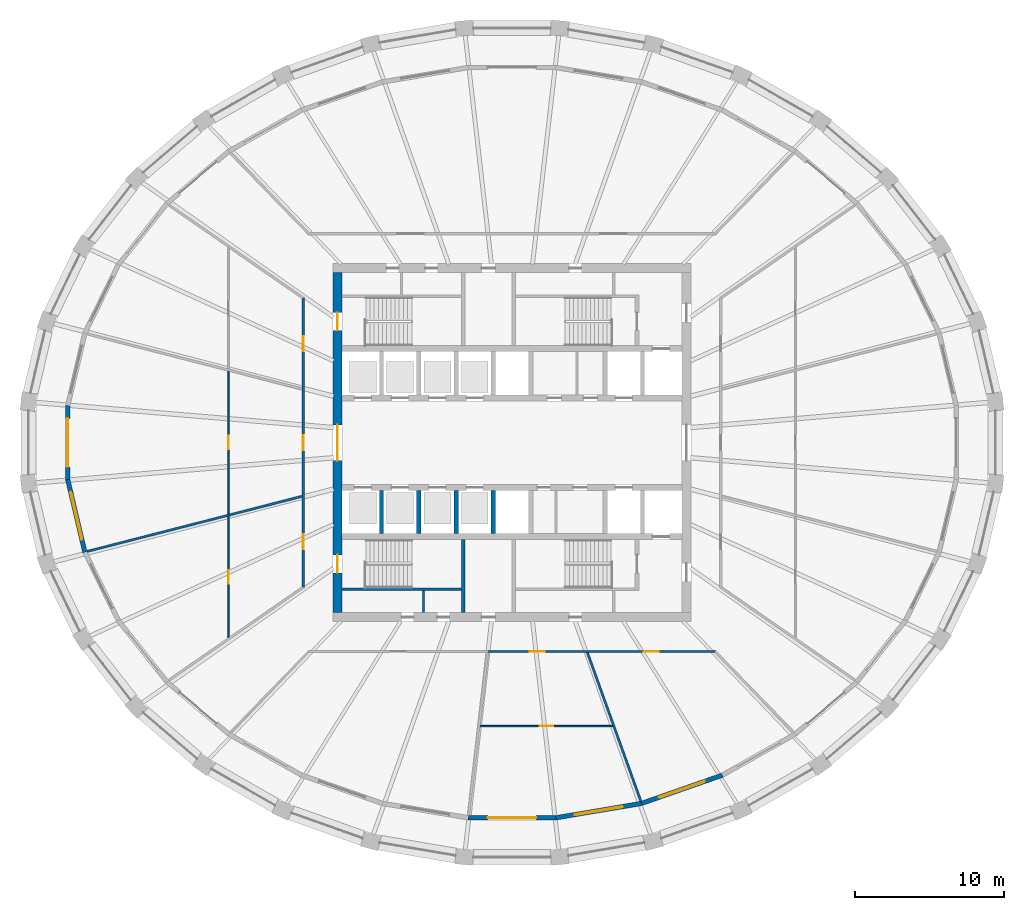
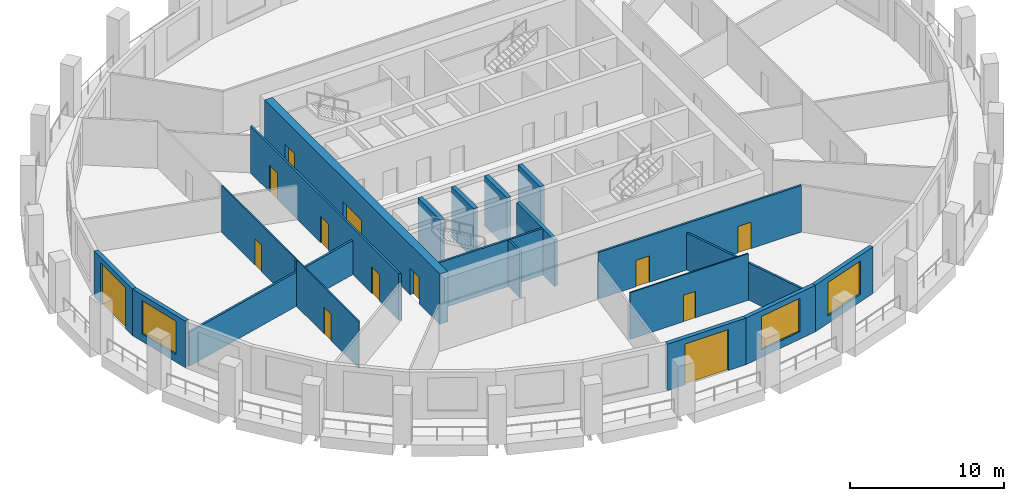
# One storey, part 3 of 10: 20 walls, 13 doors, 3 windows, 16 openings.
"""IFC4 building model written with IfcOpenShell, lengths in metres."""

from ifc_helpers import new_model, si_unit, direction, frame, frame_2d, origin, place, context, subcontext, project, spatial, polyline, rectangle, outline, extrude, material, layer, layer_set, type_object, element, fill, save


model = new_model("IFC4")

# Units and contexts
model_context = context("Model", 3, precision=1e-05, world=origin(), true_north=direction((0.0, 1.0)))
body_context = subcontext(model_context, "Body", "Model", "MODEL_VIEW")
ifc_project = project(units=[si_unit("LENGTHUNIT", "METRE"), si_unit("AREAUNIT", "SQUARE_METRE"), si_unit("VOLUMEUNIT", "CUBIC_METRE"), si_unit("PLANEANGLEUNIT", "RADIAN"), si_unit("MASSUNIT", "GRAM", prefix="KILO")], contexts=[model_context])

# Site, building, storey
site_placement = place(None, origin())
site = spatial("IfcSite", under=ifc_project, at=site_placement, CompositionType="ELEMENT")
building_placement = place(site_placement, origin())
building = spatial("IfcBuilding", under=site, at=building_placement, Name="Halqa Exchange Tower", CompositionType="ELEMENT")
storey_placement = place(building_placement, frame((0.0, 0.0, 190.89990234375)))
storey = spatial("IfcBuildingStorey", under=building, at=storey_placement, Name="L43", CompositionType="ELEMENT", Elevation=190.89990234375)

# Wall
ifc_material_1 = material(Name="Fire-rated gypsum board")
ifc_layer_1 = layer(ifc_material_1, 0.14990234375)
ifc_layer_set_1 = layer_set([ifc_layer_1], Name="Fire-rated gypsum board")
wall_type_1 = type_object("IfcWallType", Name="Fire partition EI 60 150", PredefinedType="PARTITIONING", material=ifc_layer_set_1)
wall_1_placement = place(storey_placement, frame((-28.494384765625, -7.294189453125, 0.0), z_axis=(0.0, 0.0, 1.0), x_axis=(0.96870063855, 0.248231893342, 0.0)))
element("IfcWall", 1, at=wall_1_placement, inside=storey, type_object=wall_type_1, Name="L43-PWL-001", PredefinedType="PARTITIONING", context=body_context, shape_type="SweptSolid", body=[
    extrude(outline(polyline([(0.013916015625, -0.074951171875), (1.957275390625, -0.074951171875), (3.900634765625, -0.074951171875), (5.84375, -0.074951171875), (7.787109375, -0.074951171875), (9.730224609375, -0.074951171875), (9.730712890625, -0.073486328125), (9.736083984375, -0.074951171875), (11.446044921875, -0.074951171875), (13.156005859375, -0.074951171875), (14.865966796875, -0.074951171875), (14.904296875, 0.07421875), (14.904296875, 0.074951171875), (13.226806640625, 0.074951171875), (11.54931640625, 0.074951171875), (9.8720703125, 0.074951171875), (9.87158203125, 0.073486328125), (9.8662109375, 0.074951171875), (7.892822265625, 0.074951171875), (5.919677734375, 0.074951171875), (3.946533203125, 0.074951171875), (1.97314453125, 0.074951171875), (0.0, 0.074951171875), (0.0, -0.0078125), (0.013916015625, -0.074951171875)])), origin(), (0.0, 0.0, 1.0), 2.710205078125),
])

# Wall, openings, doors
wall_2_placement = place(storey_placement, frame((-14.0, -9.729248046875, 0.0), z_axis=(0.0, 0.0, 1.0), x_axis=(0.0, 1.0, 0.0)))
wall_2 = element("IfcWall", 2, at=wall_2_placement, inside=storey, type_object=wall_type_1, Name="L43-PWL-011", PredefinedType="PARTITIONING", context=body_context, shape_type="SweptSolid", body=[
    extrude(outline(polyline([(19.45849609375, -0.074951171875), (19.45849609375, -0.074951171875), (19.3798828125, 0.074951171875), (17.44970703125, 0.074951171875), (15.519775390625, 0.074951171875), (13.589599609375, 0.074951171875), (11.659423828125, 0.074951171875), (9.729248046875, 0.074951171875), (7.799072265625, 0.074951171875), (5.868896484375, 0.074951171875), (3.938720703125, 0.074951171875), (2.008544921875, 0.074951171875), (0.07861328125, 0.074951171875), (0.0, -0.074951171875), (0.0, -0.074951171875), (1.94580078125, -0.074951171875), (3.8916015625, -0.074951171875), (5.837646484375, -0.074951171875), (7.783447265625, -0.074951171875), (9.729248046875, -0.074951171875), (11.675048828125, -0.074951171875), (13.620849609375, -0.074951171875), (15.56689453125, -0.074951171875), (17.5126953125, -0.074951171875), (19.45849609375, -0.074951171875)])), origin(), (0.0, 0.0, 1.0), 3.7001953125),
])
opening_1_placement = place(wall_2_placement, frame((15.8642578125, 0.0, 0.0)))
opening_1 = element("IfcOpeningElement", 3, at=opening_1_placement, cuts=wall_2, Name="Opening 13-03", PredefinedType="OPENING", context=body_context, shape_type="SweptSolid", body=[
    extrude(rectangle(XDim=1.0, YDim=2.10009765625, at=frame_2d((0.5, 1.050048828125))), frame((0.0, 0.0869140625, 0.0), z_axis=(0.0, -1.0, 0.0), x_axis=(1.0, 0.0, 0.0)), (0.0, 0.0, 1.0), 0.173828125),
])
opening_2_placement = place(wall_2_placement, frame((9.229248046875, 0.0, 0.0)))
opening_2 = element("IfcOpeningElement", 4, at=opening_2_placement, cuts=wall_2, Name="Opening 13-04", PredefinedType="OPENING", context=body_context, shape_type="SweptSolid", body=[
    extrude(rectangle(XDim=1.0, YDim=2.10009765625, at=frame_2d((0.5, 1.050048828125))), frame((0.0, 0.0869140625, 0.0), z_axis=(0.0, -1.0, 0.0), x_axis=(1.0, 0.0, 0.0)), (0.0, 0.0, 1.0), 0.173828125),
])
opening_3_placement = place(wall_2_placement, frame((2.59423828125, 0.0, 0.0)))
opening_3 = element("IfcOpeningElement", 5, at=opening_3_placement, cuts=wall_2, Name="Opening 13-05", PredefinedType="OPENING", context=body_context, shape_type="SweptSolid", body=[
    extrude(rectangle(XDim=1.0, YDim=2.10009765625, at=frame_2d((0.5, 1.050048828125))), frame((0.0, 0.0869140625, 0.0), z_axis=(0.0, -1.0, 0.0), x_axis=(1.0, 0.0, 0.0)), (0.0, 0.0, 1.0), 0.173828125),
])
ifc_material_2 = material(Name="Steel fire door leaf", Category="steel")
door_type_1 = type_object("IfcDoorType", Name="Fire door FD30S 1000 x 2100", OperationType="SINGLE_SWING_LEFT", PredefinedType="DOOR", material=ifc_material_2)
door_1_placement = place(opening_1_placement, origin())
door_1 = element("IfcDoor", 6, at=door_1_placement, inside=storey, type_object=door_type_1, Name="L43-IDR-003", OperationType="SINGLE_SWING_RIGHT", OverallHeight=2.10009765625, OverallWidth=1.0, PredefinedType="DOOR", context=body_context, shape_type="SweptSolid", body=[
    extrude(rectangle(XDim=1.0, YDim=2.10009765625, at=frame_2d((0.5, 1.050048828125))), frame((0.0, 0.02490234375, 0.0), z_axis=(0.0, -1.0, 0.0), x_axis=(1.0, 0.0, 0.0)), (0.0, 0.0, 1.0), 0.050048828125),
])
fill(opening_1, door_1)
door_2_placement = place(opening_2_placement, origin())
door_2 = element("IfcDoor", 7, at=door_2_placement, inside=storey, type_object=door_type_1, Name="L43-IDR-004", OperationType="SINGLE_SWING_LEFT", OverallHeight=2.10009765625, OverallWidth=1.0, PredefinedType="DOOR", context=body_context, shape_type="SweptSolid", body=[
    extrude(rectangle(XDim=1.0, YDim=2.10009765625, at=frame_2d((0.5, 1.050048828125))), frame((0.0, 0.02490234375, 0.0), z_axis=(0.0, -1.0, 0.0), x_axis=(1.0, 0.0, 0.0)), (0.0, 0.0, 1.0), 0.050048828125),
])
fill(opening_2, door_2)
door_3_placement = place(opening_3_placement, origin())
door_3 = element("IfcDoor", 8, at=door_3_placement, inside=storey, type_object=door_type_1, Name="L43-IDR-005", OperationType="SINGLE_SWING_LEFT", OverallHeight=2.10009765625, OverallWidth=1.0, PredefinedType="DOOR", context=body_context, shape_type="SweptSolid", body=[
    extrude(rectangle(XDim=1.0, YDim=2.10009765625, at=frame_2d((0.5, 1.050048828125))), frame((0.0, 0.02490234375, 0.0), z_axis=(0.0, -1.0, 0.0), x_axis=(1.0, 0.0, 0.0)), (0.0, 0.0, 1.0), 0.050048828125),
])
fill(opening_3, door_3)

wall_3_placement = place(storey_placement, frame((-1.6298828125, -14.0, 0.0), z_axis=(0.0, 0.0, 1.0), x_axis=(1.0, 0.0, 0.0)))
wall_3 = element("IfcWall", 9, at=wall_3_placement, inside=storey, type_object=wall_type_1, Name="L43-PWL-016", PredefinedType="PARTITIONING", context=body_context, shape_type="SweptSolid", body=[
    extrude(outline(polyline([(0.0, -0.074951171875), (1.90234375, -0.074951171875), (3.804443359375, -0.074951171875), (5.706787109375, -0.074951171875), (7.609130859375, -0.074951171875), (9.511474609375, -0.074951171875), (11.41357421875, -0.074951171875), (13.31591796875, -0.074951171875), (15.21826171875, -0.074951171875), (15.281494140625, 0.07470703125), (15.281494140625, 0.074951171875), (13.371337890625, 0.074951171875), (11.461181640625, 0.074951171875), (9.551025390625, 0.074951171875), (7.640625, 0.074951171875), (5.73046875, 0.074951171875), (3.8203125, 0.074951171875), (1.91015625, 0.074951171875), (0.0, 0.074951171875), (0.0, -0.074951171875)])), origin(), (0.0, 0.0, 1.0), 3.7001953125),
])
opening_4_placement = place(wall_3_placement, frame((2.830078125, 0.0, 0.0)))
opening_4 = element("IfcOpeningElement", 10, at=opening_4_placement, cuts=wall_3, Name="Opening 13-07", PredefinedType="OPENING", context=body_context, shape_type="SweptSolid", body=[
    extrude(rectangle(XDim=1.0, YDim=2.10009765625, at=frame_2d((0.5, 1.050048828125))), frame((0.0, 0.0869140625, 0.0), z_axis=(0.0, -1.0, 0.0), x_axis=(1.0, 0.0, 0.0)), (0.0, 0.0, 1.0), 0.173828125),
])
opening_5_placement = place(wall_3_placement, frame((10.455078125, 0.0, 0.0)))
opening_5 = element("IfcOpeningElement", 11, at=opening_5_placement, cuts=wall_3, Name="Opening 13-08", PredefinedType="OPENING", context=body_context, shape_type="SweptSolid", body=[
    extrude(rectangle(XDim=1.0, YDim=2.10009765625, at=frame_2d((0.5, 1.050048828125))), frame((0.0, 0.0869140625, 0.0), z_axis=(0.0, -1.0, 0.0), x_axis=(1.0, 0.0, 0.0)), (0.0, 0.0, 1.0), 0.173828125),
])
door_4_placement = place(opening_4_placement, frame((1.0, 0.0, 0.0), z_axis=(0.0, 0.0, 1.0), x_axis=(-1.0, 0.0, 0.0)))
door_4 = element("IfcDoor", 12, at=door_4_placement, inside=storey, type_object=door_type_1, Name="L43-IDR-007", OperationType="SINGLE_SWING_RIGHT", OverallHeight=2.10009765625, OverallWidth=1.0, PredefinedType="DOOR", context=body_context, shape_type="SweptSolid", body=[
    extrude(rectangle(XDim=1.0, YDim=2.10009765625, at=frame_2d((0.5, 1.050048828125))), frame((0.0, 0.02490234375, 0.0), z_axis=(0.0, -1.0, 0.0), x_axis=(1.0, 0.0, 0.0)), (0.0, 0.0, 1.0), 0.050048828125),
])
fill(opening_4, door_4)
door_5_placement = place(opening_5_placement, frame((1.0, 0.0, 0.0), z_axis=(0.0, 0.0, 1.0), x_axis=(-1.0, 0.0, 0.0)))
door_5 = element("IfcDoor", 13, at=door_5_placement, inside=storey, type_object=door_type_1, Name="L43-IDR-008", OperationType="SINGLE_SWING_LEFT", OverallHeight=2.10009765625, OverallWidth=1.0, PredefinedType="DOOR", context=body_context, shape_type="SweptSolid", body=[
    extrude(rectangle(XDim=1.0, YDim=2.10009765625, at=frame_2d((0.5, 1.050048828125))), frame((0.0, 0.02490234375, 0.0), z_axis=(0.0, -1.0, 0.0), x_axis=(1.0, 0.0, 0.0)), (0.0, 0.0, 1.0), 0.050048828125),
])
fill(opening_5, door_5)

# Wall
wall_4_placement = place(storey_placement, frame((5.0478515625, -14.0498046875, 0.0), z_axis=(0.0, 0.0, 1.0), x_axis=(0.338318960249, -0.941031498482, 0.0)))
element("IfcWall", 14, at=wall_4_placement, inside=storey, type_object=wall_type_1, Name="L43-PWL-017", PredefinedType="PARTITIONING", context=body_context, shape_type="SweptSolid", body=[
    extrude(outline(polyline([(0.0, -0.074951171875), (1.726806640625, -0.074951171875), (3.45361328125, -0.074951171875), (5.180419921875, -0.074951171875), (5.18115234375, -0.072509765625), (5.18798828125, -0.074951171875), (6.994140625, -0.074951171875), (8.80029296875, -0.074951171875), (10.6064453125, -0.074951171875), (10.62060546875, 0.003662109375), (10.620849609375, 0.032470703125), (10.620849609375, 0.074951171875), (8.859619140625, 0.074951171875), (7.098388671875, 0.074951171875), (5.33740234375, 0.074951171875), (3.576171875, 0.074951171875), (1.81494140625, 0.074951171875), (0.0537109375, 0.074951171875), (0.0, -0.074462890625), (0.0, -0.074951171875)])), origin(), (0.0, 0.0, 1.0), 2.947021484375),
])

# Wall, opening, door
ifc_material_3 = material(Name="Gypsum board")
ifc_layer_2 = layer(ifc_material_3, 0.10009765625)
ifc_layer_set_2 = layer_set([ifc_layer_2], Name="Gypsum board")
wall_type_2 = type_object("IfcWallType", Name="Partition 100 gypsum", PredefinedType="PARTITIONING", material=ifc_layer_set_2)
wall_5_placement = place(storey_placement, frame((-19.0, -13.095458984375, 0.0), z_axis=(0.0, 0.0, 1.0), x_axis=(0.0, 1.0, 0.0)))
wall_5 = element("IfcWall", 15, at=wall_5_placement, inside=storey, type_object=wall_type_2, Name="L43-PWL-005", PredefinedType="PARTITIONING", context=body_context, shape_type="SweptSolid", body=[
    extrude(outline(polyline([(8.16943359375, -0.050048828125), (8.16943359375, -0.04931640625), (8.14404296875, 0.050048828125), (6.51513671875, 0.050048828125), (4.886474609375, 0.050048828125), (3.257568359375, 0.050048828125), (1.62890625, 0.050048828125), (0.0, 0.050048828125), (0.0, 0.049072265625), (0.068603515625, -0.050048828125), (1.688720703125, -0.050048828125), (3.30908203125, -0.050048828125), (4.92919921875, -0.050048828125), (6.54931640625, -0.050048828125), (8.16943359375, -0.050048828125)])), origin(), (0.0, 0.0, 1.0), 3.7001953125),
])
opening_6_placement = place(wall_5_placement, frame((3.640380859375, 0.0, 0.0)))
opening_6 = element("IfcOpeningElement", 16, at=opening_6_placement, cuts=wall_5, Name="Opening 13-14", PredefinedType="OPENING", context=body_context, shape_type="SweptSolid", body=[
    extrude(rectangle(XDim=0.89990234375, YDim=2.10009765625, at=frame_2d((0.449951171875, 1.050048828125))), frame((0.0, 0.06201171875, 0.0), z_axis=(0.0, -1.0, 0.0), x_axis=(1.0, 0.0, 0.0)), (0.0, 0.0, 1.0), 0.1240234375),
])
ifc_material_4 = material(Name="Timber door leaf", Category="wood")
door_type_2 = type_object("IfcDoorType", Name="Door 900 x 2100", OperationType="SINGLE_SWING_LEFT", PredefinedType="DOOR", material=ifc_material_4)
door_6_placement = place(opening_6_placement, frame((0.89990234375, 0.0, 0.0), z_axis=(0.0, 0.0, 1.0), x_axis=(-1.0, 0.0, 0.0)))
door_6 = element("IfcDoor", 17, at=door_6_placement, inside=storey, type_object=door_type_2, Name="L43-IDR-014", OperationType="SINGLE_SWING_LEFT", OverallHeight=2.10009765625, OverallWidth=0.89990234375, PredefinedType="DOOR", context=body_context, shape_type="SweptSolid", body=[
    extrude(rectangle(XDim=0.89990234375, YDim=2.10009765625, at=frame_2d((0.449951171875, 1.050048828125))), frame((0.0, 0.02490234375, 0.0), z_axis=(0.0, -1.0, 0.0), x_axis=(1.0, 0.0, 0.0)), (0.0, 0.0, 1.0), 0.050048828125),
])
fill(opening_6, door_6)

wall_6_placement = place(storey_placement, frame((-19.0, -4.79638671875, 0.0), z_axis=(0.0, 0.0, 1.0), x_axis=(0.0, 1.0, 0.0)))
wall_6 = element("IfcWall", 18, at=wall_6_placement, inside=storey, type_object=wall_type_2, Name="L43-PWL-006", PredefinedType="PARTITIONING", context=body_context, shape_type="SweptSolid", body=[
    extrude(outline(polyline([(0.025390625, -0.050048828125), (1.933837890625, -0.050048828125), (3.84228515625, -0.050048828125), (5.75048828125, -0.050048828125), (7.658935546875, -0.050048828125), (9.5673828125, -0.050048828125), (9.5927734375, 0.049072265625), (9.5927734375, 0.050048828125), (7.67431640625, 0.050048828125), (5.755615234375, 0.050048828125), (3.837158203125, 0.050048828125), (1.91845703125, 0.050048828125), (0.0, 0.050048828125), (0.0, 0.049072265625), (0.025390625, -0.050048828125)])), origin(), (0.0, 0.0, 1.0), 3.7001953125),
])
opening_7_placement = place(wall_6_placement, frame((4.346435546875, 0.0, 0.0)))
opening_7 = element("IfcOpeningElement", 19, at=opening_7_placement, cuts=wall_6, Name="Opening 13-13", PredefinedType="OPENING", context=body_context, shape_type="SweptSolid", body=[
    extrude(rectangle(XDim=0.89990234375, YDim=2.10009765625, at=frame_2d((0.449951171875, 1.050048828125))), frame((0.0, 0.06201171875, 0.0), z_axis=(0.0, -1.0, 0.0), x_axis=(1.0, 0.0, 0.0)), (0.0, 0.0, 1.0), 0.1240234375),
])
door_7_placement = place(opening_7_placement, frame((0.89990234375, 0.0, 0.0), z_axis=(0.0, 0.0, 1.0), x_axis=(-1.0, 0.0, 0.0)))
door_7 = element("IfcDoor", 20, at=door_7_placement, inside=storey, type_object=door_type_2, Name="L43-IDR-013", OperationType="SINGLE_SWING_RIGHT", OverallHeight=2.10009765625, OverallWidth=0.89990234375, PredefinedType="DOOR", context=body_context, shape_type="SweptSolid", body=[
    extrude(rectangle(XDim=0.89990234375, YDim=2.10009765625, at=frame_2d((0.449951171875, 1.050048828125))), frame((0.0, 0.02490234375, 0.0), z_axis=(0.0, -1.0, 0.0), x_axis=(1.0, 0.0, 0.0)), (0.0, 0.0, 1.0), 0.050048828125),
])
fill(opening_7, door_7)

wall_7_placement = place(storey_placement, frame((6.765380859375, -19.0, 0.0), z_axis=(0.0, 0.0, 1.0), x_axis=(-1.0, 0.0, 0.0)))
wall_7 = element("IfcWall", 21, at=wall_7_placement, inside=storey, type_object=wall_type_2, Name="L43-PWL-018", PredefinedType="PARTITIONING", context=body_context, shape_type="SweptSolid", body=[
    extrude(outline(polyline([(0.035400390625, -0.050048828125), (1.80712890625, -0.050048828125), (3.578857421875, -0.050048828125), (5.3505859375, -0.050048828125), (7.122314453125, -0.050048828125), (8.89404296875, -0.050048828125), (8.9052734375, 0.046142578125), (8.9052734375, 0.050048828125), (7.124267578125, 0.050048828125), (5.34326171875, 0.050048828125), (3.56201171875, 0.050048828125), (1.781005859375, 0.050048828125), (0.0, 0.050048828125), (0.0, 0.048828125), (0.035400390625, -0.050048828125)])), origin(), (0.0, 0.0, 1.0), 3.7001953125),
])
opening_8_placement = place(wall_7_placement, frame((4.005615234375, 0.0, 0.0)))
opening_8 = element("IfcOpeningElement", 22, at=opening_8_placement, cuts=wall_7, Name="Opening 13-15", PredefinedType="OPENING", context=body_context, shape_type="SweptSolid", body=[
    extrude(rectangle(XDim=0.89990234375, YDim=2.10009765625, at=frame_2d((0.449951171875, 1.050048828125))), frame((0.0, 0.06201171875, 0.0), z_axis=(0.0, -1.0, 0.0), x_axis=(1.0, 0.0, 0.0)), (0.0, 0.0, 1.0), 0.1240234375),
])
door_8_placement = place(opening_8_placement, frame((0.89990234375, 0.0, 0.0), z_axis=(0.0, 0.0, 1.0), x_axis=(-1.0, 0.0, 0.0)))
door_8 = element("IfcDoor", 23, at=door_8_placement, inside=storey, type_object=door_type_2, Name="L43-IDR-015", OperationType="SINGLE_SWING_LEFT", OverallHeight=2.10009765625, OverallWidth=0.89990234375, PredefinedType="DOOR", context=body_context, shape_type="SweptSolid", body=[
    extrude(rectangle(XDim=0.89990234375, YDim=2.10009765625, at=frame_2d((0.449951171875, 1.050048828125))), frame((0.0, 0.02490234375, 0.0), z_axis=(0.0, -1.0, 0.0), x_axis=(1.0, 0.0, 0.0)), (0.0, 0.0, 1.0), 0.050048828125),
])
fill(opening_8, door_8)

# Walls
ifc_layer_3 = layer(ifc_material_3, 0.14990234375)
ifc_layer_set_3 = layer_set([ifc_layer_3], Name="Gypsum board")
wall_type_3 = type_object("IfcWallType", Name="Penthouse riser wall 150 gypsum", PredefinedType="PARTITIONING", material=ifc_layer_set_3)
wall_8_placement = place(storey_placement, frame((-5.925048828125, -11.39990234375, 0.0), z_axis=(0.0, 0.0, 1.0), x_axis=(0.0, 1.0, 0.0)))
element("IfcWall", 24, at=wall_8_placement, inside=storey, type_object=wall_type_3, Name="Partition W5.925 S", PredefinedType="PARTITIONING", context=body_context, shape_type="SweptSolid", body=[
    extrude(rectangle(XDim=1.5, YDim=0.14990234375, at=frame_2d((0.75, 0.0))), origin(), (0.0, 0.0, 1.0), 3.7001953125),
])
ifc_material_5 = material(Name="Concrete C60/75", Category="concrete")
ifc_layer_4 = layer(ifc_material_5, 0.300048828125)
ifc_layer_set_4 = layer_set([ifc_layer_4], Name="Concrete C60/75")
wall_type_4 = type_object("IfcWallType", Name="RC core wall 300", PredefinedType="SHEAR", material=ifc_layer_set_4)
for number, where, z_axis, x_axis, name in (
    (25, (-8.75, -6.10009765625, 0.0), (0.0, 0.0, 1.0), (0.0, 1.0, 0.0), "Shaft divider S1"),
    (26, (-6.25, -6.10009765625, 0.0), (0.0, 0.0, 1.0), (0.0, 1.0, 0.0), "Shaft divider S2"),
    (27, (-3.75, -6.10009765625, 0.0), (0.0, 0.0, 1.0), (0.0, 1.0, 0.0), "Shaft divider S3"),
    (28, (-1.25, -6.10009765625, 0.0), (0.0, 0.0, 1.0), (0.0, 1.0, 0.0), "Shaft divider S4"),
):
    element("IfcWall", number, at=place(storey_placement, frame(where, z_axis=z_axis, x_axis=x_axis)), inside=storey, type_object=wall_type_4, Name=name, PredefinedType="SHEAR", context=body_context, shape_type="SweptSolid", body=[
        extrude(rectangle(XDim=2.900146484375, YDim=0.300048828125, at=frame_2d((1.4501953125, 0.0))), origin(), (0.0, 0.0, 1.0), 4.0),
    ])

# Wall, openings, doors
ifc_material_6 = material(Name="Concrete C70/85", Category="concrete")
ifc_layer_5 = layer(ifc_material_6, 0.60009765625)
ifc_layer_set_5 = layer_set([ifc_layer_5], Name="Concrete C70/85")
wall_type_5 = type_object("IfcWallType", Name="RC core wall 600 C70/85", PredefinedType="SHEAR", material=ifc_layer_set_5)
wall_9_placement = place(storey_placement, frame((-11.699951171875, -11.39990234375, 0.0), z_axis=(0.0, 0.0, 1.0), x_axis=(0.0, 1.0, 0.0)))
wall_9 = element("IfcWall", 29, at=wall_9_placement, inside=storey, type_object=wall_type_5, Name="Core wall west", PredefinedType="SHEAR", context=body_context, shape_type="SweptSolid", body=[
    extrude(rectangle(XDim=22.7998046875, YDim=0.60009765625, at=frame_2d((11.39990234375, 0.0))), origin(), (0.0, 0.0, 1.0), 4.0),
])
opening_9_placement = place(wall_9_placement, frame((10.199951171875, 0.0, 0.0)))
opening_9 = element("IfcOpeningElement", 30, at=opening_9_placement, cuts=wall_9, Name="Opening T13-C13", PredefinedType="OPENING", context=body_context, shape_type="SweptSolid", body=[
    extrude(rectangle(XDim=2.39990234375, YDim=2.10009765625, at=frame_2d((1.199951171875, 1.050048828125))), frame((0.0, 0.31201171875, 0.0), z_axis=(0.0, -1.0, 0.0), x_axis=(1.0, 0.0, 0.0)), (0.0, 0.0, 1.0), 0.6240234375),
])
opening_10_placement = place(wall_9_placement, frame((18.925048828125, 0.0, 0.0)))
opening_10 = element("IfcOpeningElement", 31, at=opening_10_placement, cuts=wall_9, Name="Opening T13-C15", PredefinedType="OPENING", context=body_context, shape_type="SweptSolid", body=[
    extrude(rectangle(XDim=1.199951171875, YDim=2.10009765625, at=frame_2d((0.60009765625, 1.050048828125))), frame((0.0, 0.31201171875, 0.0), z_axis=(0.0, -1.0, 0.0), x_axis=(1.0, 0.0, 0.0)), (0.0, 0.0, 1.0), 0.6240234375),
])
opening_11_placement = place(wall_9_placement, frame((2.675048828125, 0.0, 0.0)))
opening_11 = element("IfcOpeningElement", 32, at=opening_11_placement, cuts=wall_9, Name="Opening T13-C17", PredefinedType="OPENING", context=body_context, shape_type="SweptSolid", body=[
    extrude(rectangle(XDim=1.199951171875, YDim=2.10009765625, at=frame_2d((0.60009765625, 1.050048828125))), frame((0.0, 0.31201171875, 0.0), z_axis=(0.0, -1.0, 0.0), x_axis=(1.0, 0.0, 0.0)), (0.0, 0.0, 1.0), 0.6240234375),
])
door_type_3 = type_object("IfcDoorType", Name="Lobby double door FD60 2400 x 2100", OperationType="DOUBLE_DOOR_SINGLE_SWING", PredefinedType="DOOR", material=ifc_material_2)
door_9_placement = place(opening_9_placement, frame((2.39990234375, 0.0, 0.0), z_axis=(0.0, 0.0, 1.0), x_axis=(-1.0, 0.0, 0.0)))
door_9 = element("IfcDoor", 33, at=door_9_placement, inside=storey, type_object=door_type_3, Name="Lift lobby double door", OperationType="DOUBLE_DOOR_SINGLE_SWING", OverallHeight=2.10009765625, OverallWidth=2.39990234375, PredefinedType="DOOR", context=body_context, shape_type="SweptSolid", body=[
    extrude(rectangle(XDim=2.39990234375, YDim=2.10009765625, at=frame_2d((1.199951171875, 1.050048828125))), frame((0.0, 0.02490234375, 0.0), z_axis=(0.0, -1.0, 0.0), x_axis=(1.0, 0.0, 0.0)), (0.0, 0.0, 1.0), 0.050048828125),
])
fill(opening_9, door_9)
door_type_4 = type_object("IfcDoorType", Name="Stair door FD90 1200 x 2100", OperationType="SINGLE_SWING_LEFT", PredefinedType="DOOR", material=ifc_material_2)
door_10_placement = place(opening_10_placement, frame((1.199951171875, 0.0, 0.0), z_axis=(0.0, 0.0, 1.0), x_axis=(-1.0, 0.0, 0.0)))
door_10 = element("IfcDoor", 34, at=door_10_placement, inside=storey, type_object=door_type_4, Name="Stair door ST1", OperationType="SINGLE_SWING_RIGHT", OverallHeight=2.10009765625, OverallWidth=1.199951171875, PredefinedType="DOOR", context=body_context, shape_type="SweptSolid", body=[
    extrude(rectangle(XDim=1.199951171875, YDim=2.10009765625, at=frame_2d((0.60009765625, 1.050048828125))), frame((0.0, 0.02490234375, 0.0), z_axis=(0.0, -1.0, 0.0), x_axis=(1.0, 0.0, 0.0)), (0.0, 0.0, 1.0), 0.050048828125),
])
fill(opening_10, door_10)
door_11_placement = place(opening_11_placement, frame((1.199951171875, 0.0, 0.0), z_axis=(0.0, 0.0, 1.0), x_axis=(-1.0, 0.0, 0.0)))
door_11 = element("IfcDoor", 35, at=door_11_placement, inside=storey, type_object=door_type_4, Name="Stair door ST3", OperationType="SINGLE_SWING_RIGHT", OverallHeight=2.10009765625, OverallWidth=1.199951171875, PredefinedType="DOOR", context=body_context, shape_type="SweptSolid", body=[
    extrude(rectangle(XDim=1.199951171875, YDim=2.10009765625, at=frame_2d((0.60009765625, 1.050048828125))), frame((0.0, 0.02490234375, 0.0), z_axis=(0.0, -1.0, 0.0), x_axis=(1.0, 0.0, 0.0)), (0.0, 0.0, 1.0), 0.050048828125),
])
fill(opening_11, door_11)

# Walls
ifc_material_7 = material(Name="Concrete C30/37", Category="concrete")
ifc_layer_6 = layer(ifc_material_7, 0.14990234375)
ifc_layer_set_6 = layer_set([ifc_layer_6], Name="Concrete C30/37")
wall_type_6 = type_object("IfcWallType", Name="RC stair wall 150 C30/37", PredefinedType="SHEAR", material=ifc_layer_set_6)
wall_10_placement = place(storey_placement, frame((-11.39990234375, -9.824951171875, 0.0), z_axis=(0.0, 0.0, 1.0), x_axis=(1.0, 0.0, 0.0)))
element("IfcWall", 36, at=wall_10_placement, inside=storey, type_object=wall_type_6, Name="Stair ST1 north wall S", PredefinedType="SHEAR", context=body_context, shape_type="SweptSolid", body=[
    extrude(rectangle(XDim=8.0, YDim=0.14990234375, at=frame_2d((4.0, 0.0))), origin(), (0.0, 0.0, 1.0), 3.7001953125),
])
ifc_layer_7 = layer(ifc_material_7, 0.25)
ifc_layer_set_7 = layer_set([ifc_layer_7], Name="Concrete C30/37")
wall_type_7 = type_object("IfcWallType", Name="RC stair wall 250 C30/37", PredefinedType="SHEAR", material=ifc_layer_set_7)
wall_11_placement = place(storey_placement, frame((-3.27490234375, -11.39990234375, 0.0), z_axis=(0.0, 0.0, 1.0), x_axis=(0.0, 1.0, 0.0)))
element("IfcWall", 37, at=wall_11_placement, inside=storey, type_object=wall_type_7, Name="Stair ST1 east wall S", PredefinedType="SHEAR", context=body_context, shape_type="SweptSolid", body=[
    extrude(rectangle(XDim=4.89990234375, YDim=0.25, at=frame_2d((2.449951171875, 0.0))), origin(), (0.0, 0.0, 1.0), 3.7001953125),
])

# Wall, opening, door
ifc_material_8 = material(Name="Limestone cladding", Category="masonry")
ifc_layer_8 = layer(ifc_material_8, 0.0400390625)
ifc_material_9 = material(Name="Ventilated cavity")
ifc_layer_9 = layer(ifc_material_9, 0.030029296875, ventilated=True)
ifc_material_10 = material(Name="Mineral wool insulation")
ifc_layer_10 = layer(ifc_material_10, 0.10009765625)
ifc_layer_11 = layer(ifc_material_7, 0.10009765625)
ifc_material_11 = material(Name="Internal plaster")
ifc_layer_12 = layer(ifc_material_11, 0.030029296875)
ifc_layer_set_8 = layer_set([ifc_layer_8, ifc_layer_9, ifc_layer_10, ifc_layer_11, ifc_layer_12], Name="Stone-faced insulated wall 300")
wall_type_8 = type_object("IfcWallType", Name="Stone-faced insulated wall 300", PredefinedType="STANDARD", material=ifc_layer_set_8)
wall_12_placement = place(storey_placement, frame((-29.785400390625, 2.47998046875, 0.0), z_axis=(0.0, 0.0, 1.0), x_axis=(0.0, -1.0, 0.0)))
wall_12 = element("IfcWall", 38, at=wall_12_placement, inside=storey, type_object=wall_type_8, Name="Glass-line wall 16", PredefinedType="STANDARD", context=body_context, shape_type="SweptSolid", body=[
    extrude(outline(polyline([(-0.017333984375, -0.14990234375), (4.977294921875, -0.14990234375), (4.942626953125, 0.14990234375), (0.017333984375, 0.14990234375), (-0.017333984375, -0.14990234375)])), origin(), (0.0, 0.0, 1.0), 3.7001953125),
])
opening_12_placement = place(wall_12_placement, frame((0.85498046875, 0.0, 0.0)))
opening_12 = element("IfcOpeningElement", 39, at=opening_12_placement, cuts=wall_12, Name="Opening LG-F3-04", PredefinedType="OPENING", context=body_context, shape_type="SweptSolid", body=[
    extrude(rectangle(XDim=3.25, YDim=3.25, at=frame_2d((1.625, 1.625))), frame((0.0, 0.162109375, 0.0), z_axis=(0.0, -1.0, 0.0), x_axis=(1.0, 0.0, 0.0)), (0.0, 0.0, 1.0), 0.323974609375),
])
ifc_material_12 = material(Name="Clear low-emissivity glass in aluminium frame", Category="aluminium")
door_type_5 = type_object("IfcDoorType", Name="Glazed sliding loggia door 3250 x 3250", OperationType="DOUBLE_DOOR_SLIDING", PredefinedType="DOOR", material=ifc_material_12)
door_12_placement = place(opening_12_placement, origin())
door_12 = element("IfcDoor", 40, at=door_12_placement, inside=storey, type_object=door_type_5, Name="Loggia door 4", OperationType="DOUBLE_DOOR_SLIDING", OverallHeight=3.25, OverallWidth=3.25, PredefinedType="DOOR", context=body_context, shape_type="SweptSolid", body=[
    extrude(rectangle(XDim=3.25, YDim=3.25, at=frame_2d((1.625, 1.625))), frame((0.0, 0.02490234375, 0.0), z_axis=(0.0, -1.0, 0.0), x_axis=(1.0, 0.0, 0.0)), (0.0, 0.0, 1.0), 0.050048828125),
])
fill(opening_12, door_12)

# Wall, opening, window
wall_13_placement = place(storey_placement, frame((-29.785400390625, -2.47998046875, 0.0), z_axis=(0.0, 0.0, 1.0), x_axis=(0.229455912692, -0.97331905567, 0.0)))
wall_13 = element("IfcWall", 41, at=wall_13_placement, inside=storey, type_object=wall_type_8, Name="Glass-line wall 17", PredefinedType="STANDARD", context=body_context, shape_type="SweptSolid", body=[
    extrude(outline(polyline([(-0.017333984375, -0.14990234375), (5.014404296875, -0.14990234375), (4.980712890625, 0.14990234375), (0.017333984375, 0.14990234375), (-0.017333984375, -0.14990234375)])), origin(), (0.0, 0.0, 1.0), 3.7001953125),
])
opening_13_placement = place(wall_13_placement, frame((0.873779296875, 0.0, 0.60009765625)))
opening_13 = element("IfcOpeningElement", 42, at=opening_13_placement, cuts=wall_13, Name="Opening W-F3-17", PredefinedType="OPENING", context=body_context, shape_type="SweptSolid", body=[
    extrude(rectangle(XDim=3.25, YDim=2.64990234375, at=frame_2d((1.625, 1.324951171875))), frame((0.0, 0.162109375, 0.0), z_axis=(0.0, -1.0, 0.0), x_axis=(1.0, 0.0, 0.0)), (0.0, 0.0, 1.0), 0.323974609375),
])
window_type = type_object("IfcWindowType", Name="Fixed clear glazed window 3250 x 2650", PartitioningType="TRIPLE_PANEL_VERTICAL", PredefinedType="WINDOW", material=ifc_material_12)
window_1_placement = place(opening_13_placement, origin())
window_1 = element("IfcWindow", 43, at=window_1_placement, inside=storey, type_object=window_type, Name="Window 3", OverallHeight=2.64990234375, OverallWidth=3.25, PartitioningType="TRIPLE_PANEL_VERTICAL", PredefinedType="WINDOW", context=body_context, shape_type="SweptSolid", body=[
    extrude(rectangle(XDim=3.25, YDim=2.64990234375, at=frame_2d((1.625, 1.324951171875))), frame((0.0, 0.030029296875, 0.0), z_axis=(0.0, -1.0, 0.0), x_axis=(1.0, 0.0, 0.0)), (0.0, 0.0, 1.0), 0.06005859375),
])
fill(opening_13, window_1)

# Wall, opening, door
wall_14_placement = place(storey_placement, frame((-2.931396484375, -25.15380859375, 0.0), z_axis=(0.0, 0.0, 1.0), x_axis=(1.0, 0.0, 0.0)))
wall_14 = element("IfcWall", 44, at=wall_14_placement, inside=storey, type_object=wall_type_8, Name="Glass-line wall 24", PredefinedType="STANDARD", context=body_context, shape_type="SweptSolid", body=[
    extrude(outline(polyline([(-0.012451171875, -0.14990234375), (5.875244140625, -0.14990234375), (5.850341796875, 0.14990234375), (0.012451171875, 0.14990234375), (-0.012451171875, -0.14990234375)])), origin(), (0.0, 0.0, 1.0), 3.7001953125),
])
opening_14_placement = place(wall_14_placement, frame((1.306396484375, 0.0, 0.0)))
opening_14 = element("IfcOpeningElement", 45, at=opening_14_placement, cuts=wall_14, Name="Opening LG-F3-06", PredefinedType="OPENING", context=body_context, shape_type="SweptSolid", body=[
    extrude(rectangle(XDim=3.25, YDim=3.25, at=frame_2d((1.625, 1.625))), frame((0.0, 0.162109375, 0.0), z_axis=(0.0, -1.0, 0.0), x_axis=(1.0, 0.0, 0.0)), (0.0, 0.0, 1.0), 0.323974609375),
])
door_13_placement = place(opening_14_placement, origin())
door_13 = element("IfcDoor", 46, at=door_13_placement, inside=storey, type_object=door_type_5, Name="Loggia door 6", OperationType="DOUBLE_DOOR_SLIDING", OverallHeight=3.25, OverallWidth=3.25, PredefinedType="DOOR", context=body_context, shape_type="SweptSolid", body=[
    extrude(rectangle(XDim=3.25, YDim=3.25, at=frame_2d((1.625, 1.625))), frame((0.0, 0.02490234375, 0.0), z_axis=(0.0, -1.0, 0.0), x_axis=(1.0, 0.0, 0.0)), (0.0, 0.0, 1.0), 0.050048828125),
])
fill(opening_14, door_13)

# Wall, opening, window
wall_15_placement = place(storey_placement, frame((2.931396484375, -25.15380859375, 0.0), z_axis=(0.0, 0.0, 1.0), x_axis=(0.986207709048, 0.165512400181, 0.0)))
wall_15 = element("IfcWall", 47, at=wall_15_placement, inside=storey, type_object=wall_type_8, Name="Glass-line wall 25", PredefinedType="STANDARD", context=body_context, shape_type="SweptSolid", body=[
    extrude(outline(polyline([(-0.012451171875, -0.14990234375), (5.843505859375, -0.14990234375), (5.818115234375, 0.14990234375), (0.012451171875, 0.14990234375), (-0.012451171875, -0.14990234375)])), origin(), (0.0, 0.0, 1.0), 3.7001953125),
])
opening_15_placement = place(wall_15_placement, frame((1.29052734375, 0.0, 0.60009765625)))
opening_15 = element("IfcOpeningElement", 48, at=opening_15_placement, cuts=wall_15, Name="Opening W-F3-25", PredefinedType="OPENING", context=body_context, shape_type="SweptSolid", body=[
    extrude(rectangle(XDim=3.25, YDim=2.64990234375, at=frame_2d((1.625, 1.324951171875))), frame((0.0, 0.162109375, 0.0), z_axis=(0.0, -1.0, 0.0), x_axis=(1.0, 0.0, 0.0)), (0.0, 0.0, 1.0), 0.323974609375),
])
window_2_placement = place(opening_15_placement, origin())
window_2 = element("IfcWindow", 49, at=window_2_placement, inside=storey, type_object=window_type, Name="Window 3", OverallHeight=2.64990234375, OverallWidth=3.25, PartitioningType="TRIPLE_PANEL_VERTICAL", PredefinedType="WINDOW", context=body_context, shape_type="SweptSolid", body=[
    extrude(rectangle(XDim=3.25, YDim=2.64990234375, at=frame_2d((1.625, 1.324951171875))), frame((0.0, 0.030029296875, 0.0), z_axis=(0.0, -1.0, 0.0), x_axis=(1.0, 0.0, 0.0)), (0.0, 0.0, 1.0), 0.06005859375),
])
fill(opening_15, window_2)

wall_16_placement = place(storey_placement, frame((8.681884765625, -24.188720703125, 0.0), z_axis=(0.0, 0.0, 1.0), x_axis=(0.944020060936, 0.329888048511, 0.0)))
wall_16 = element("IfcWall", 50, at=wall_16_placement, inside=storey, type_object=wall_type_8, Name="Glass-line wall 26", PredefinedType="STANDARD", context=body_context, shape_type="SweptSolid", body=[
    extrude(outline(polyline([(-0.0126953125, -0.14990234375), (5.752685546875, -0.14990234375), (5.725830078125, 0.14990234375), (0.0126953125, 0.14990234375), (-0.0126953125, -0.14990234375)])), origin(), (0.0, 0.0, 1.0), 3.7001953125),
])
opening_16_placement = place(wall_16_placement, frame((1.24462890625, 0.0, 0.60009765625)))
opening_16 = element("IfcOpeningElement", 51, at=opening_16_placement, cuts=wall_16, Name="Opening W-F3-26", PredefinedType="OPENING", context=body_context, shape_type="SweptSolid", body=[
    extrude(rectangle(XDim=3.25, YDim=2.64990234375, at=frame_2d((1.625, 1.324951171875))), frame((0.0, 0.162109375, 0.0), z_axis=(0.0, -1.0, 0.0), x_axis=(1.0, 0.0, 0.0)), (0.0, 0.0, 1.0), 0.323974609375),
])
window_3_placement = place(opening_16_placement, origin())
window_3 = element("IfcWindow", 52, at=window_3_placement, inside=storey, type_object=window_type, Name="Window 3", OverallHeight=2.64990234375, OverallWidth=3.25, PartitioningType="TRIPLE_PANEL_VERTICAL", PredefinedType="WINDOW", context=body_context, shape_type="SweptSolid", body=[
    extrude(rectangle(XDim=3.25, YDim=2.64990234375, at=frame_2d((1.625, 1.324951171875))), frame((0.0, 0.030029296875, 0.0), z_axis=(0.0, -1.0, 0.0), x_axis=(1.0, 0.0, 0.0)), (0.0, 0.0, 1.0), 0.06005859375),
])
fill(opening_16, window_3)

save(model, "model.ifc")
